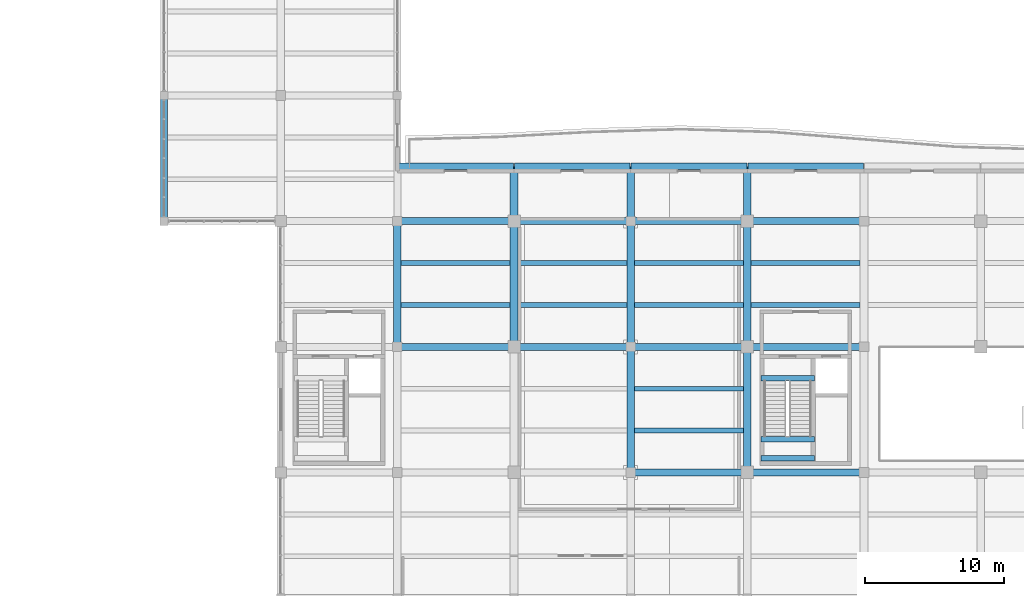
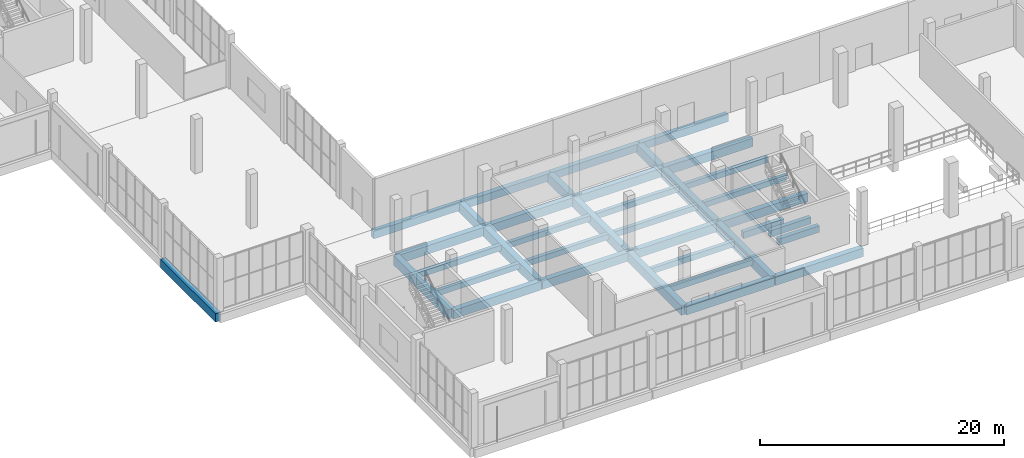
# One storey, part 13 of 132: 34 beams.
"""IFC4 building model written with IfcOpenShell, lengths in metres."""

from ifc_helpers import new_model, si_unit, direction, frame, origin, origin_2d, place, context, subcontext, project, spatial, rectangle, extrude, material, material_profile, profile_set, type_object, element, save


model = new_model("IFC4")

# Units and contexts
model_context = context("Model", 3, precision=1e-05, world=origin(), true_north=direction((0.0, 1.0)))
body_context = subcontext(model_context, "Body", "Model", "MODEL_VIEW")
ifc_project = project(units=[si_unit("LENGTHUNIT", "METRE"), si_unit("AREAUNIT", "SQUARE_METRE"), si_unit("VOLUMEUNIT", "CUBIC_METRE"), si_unit("PLANEANGLEUNIT", "RADIAN"), si_unit("MASSUNIT", "GRAM", prefix="KILO")], contexts=[model_context])

# Site, building, storey
site_placement = place(None, origin())
site = spatial("IfcSite", under=ifc_project, at=site_placement, CompositionType="ELEMENT")
building_placement = place(site_placement, origin())
building = spatial("IfcBuilding", under=site, at=building_placement, Name="Khurvash Pelagic Aquarium", CompositionType="ELEMENT")
storey_placement = place(building_placement, frame((0.0, 0.0, 5.39990234375)))
storey = spatial("IfcBuildingStorey", under=building, at=storey_placement, Name="L01", CompositionType="ELEMENT", Elevation=5.39990234375)

# Beams
ifc_material_1 = material(Name="Concrete C40/50", Category="concrete")
ifc_material_profile_1 = material_profile(ifc_material_1, rectangle(XDim=0.550048828125, YDim=0.949951171875, at=origin_2d()), Name="RC550X950")
ifc_profile_set_1 = profile_set([ifc_material_profile_1], Name="Concrete C40/50")
beam_type_1 = type_object("IfcBeamType", Name="BM-02", PredefinedType="BEAM", material=ifc_profile_set_1)
beam_1_placement = place(storey_placement, frame((33.60009765625, 20.739990234375, -0.784912109375), z_axis=(0.0, 1.0, 0.0), x_axis=(-1.0, 0.0, 0.0)))
element("IfcBeam", 1, at=beam_1_placement, inside=storey, type_object=beam_type_1, Name="L01 Primary Girder BM-02 00371", PredefinedType="BEAM", context=body_context, shape_type="SweptSolid", body=[
    extrude(rectangle(XDim=0.550048828125, YDim=0.949951171875, at=origin_2d()), origin(), (0.0, 0.0, 1.0), 8.969970703125),
])
beam_2_placement = place(storey_placement, frame((42.0, 20.739990234375, -0.794921875), z_axis=(0.0, 1.0, 0.0), x_axis=(-1.0, 0.0, 0.0)))
element("IfcBeam", 2, at=beam_2_placement, inside=storey, type_object=beam_type_1, Name="L01 Primary Girder BM-02 00382", PredefinedType="BEAM", context=body_context, shape_type="SweptSolid", body=[
    extrude(rectangle(XDim=0.550048828125, YDim=0.949951171875, at=origin_2d()), origin(), (0.0, 0.0, 1.0), 12.9599609375),
])
beam_3_placement = place(storey_placement, frame((50.39990234375, 11.68994140625, -0.784912109375), z_axis=(0.0, 1.0, 0.0), x_axis=(-1.0, 0.0, 0.0)))
element("IfcBeam", 3, at=beam_3_placement, inside=storey, type_object=beam_type_1, Name="L01 Primary Girder BM-02 00385", PredefinedType="BEAM", context=body_context, shape_type="SweptSolid", body=[
    extrude(rectangle(XDim=0.550048828125, YDim=0.949951171875, at=origin_2d()), origin(), (0.0, 0.0, 1.0), 8.969970703125),
])
beam_4_placement = place(storey_placement, frame((50.39990234375, 20.739990234375, -0.794921875), z_axis=(0.0, 1.0, 0.0), x_axis=(-1.0, 0.0, 0.0)))
element("IfcBeam", 4, at=beam_4_placement, inside=storey, type_object=beam_type_1, Name="L01 Primary Girder BM-02 00386", PredefinedType="BEAM", context=body_context, shape_type="SweptSolid", body=[
    extrude(rectangle(XDim=0.550048828125, YDim=0.949951171875, at=origin_2d()), origin(), (0.0, 0.0, 1.0), 12.9599609375),
])
beam_5_placement = place(storey_placement, frame((58.800048828125, 11.68994140625, -0.784912109375), z_axis=(0.0, 1.0, 0.0), x_axis=(-1.0, 0.0, 0.0)))
element("IfcBeam", 5, at=beam_5_placement, inside=storey, type_object=beam_type_1, Name="L01 Primary Girder BM-02 00389", PredefinedType="BEAM", context=body_context, shape_type="SweptSolid", body=[
    extrude(rectangle(XDim=0.550048828125, YDim=0.949951171875, at=origin_2d()), origin(), (0.0, 0.0, 1.0), 8.969970703125),
])
beam_6_placement = place(storey_placement, frame((58.800048828125, 20.739990234375, -0.794921875), z_axis=(0.0, 1.0, 0.0), x_axis=(-1.0, 0.0, 0.0)))
element("IfcBeam", 6, at=beam_6_placement, inside=storey, type_object=beam_type_1, Name="L01 Primary Girder BM-02 00390", PredefinedType="BEAM", context=body_context, shape_type="SweptSolid", body=[
    extrude(rectangle(XDim=0.550048828125, YDim=0.949951171875, at=origin_2d()), origin(), (0.0, 0.0, 1.0), 12.9599609375),
])
ifc_material_profile_2 = material_profile(ifc_material_1, rectangle(XDim=0.5, YDim=0.85009765625, at=origin_2d()), Name="RC500X850")
ifc_profile_set_2 = profile_set([ifc_material_profile_2], Name="Concrete C40/50")
beam_type_2 = type_object("IfcBeamType", Name="BM-03", PredefinedType="BEAM", material=ifc_profile_set_2)
beam_7_placement = place(storey_placement, frame((50.43994140625, 11.64990234375, -0.744873046875), z_axis=(1.0, 0.0, 0.0), x_axis=(0.0, 1.0, 0.0)))
element("IfcBeam", 7, at=beam_7_placement, inside=storey, type_object=beam_type_2, Name="L01 Primary Girder BM-03 00254", PredefinedType="BEAM", context=body_context, shape_type="SweptSolid", body=[
    extrude(rectangle(XDim=0.5, YDim=0.85009765625, at=origin_2d()), origin(), (0.0, 0.0, 1.0), 8.320068359375),
])
beam_8_placement = place(storey_placement, frame((58.840087890625, 11.64990234375, -0.744873046875), z_axis=(1.0, 0.0, 0.0), x_axis=(0.0, 1.0, 0.0)))
element("IfcBeam", 8, at=beam_8_placement, inside=storey, type_object=beam_type_2, Name="L01 Primary Girder BM-03 00255", PredefinedType="BEAM", context=body_context, shape_type="SweptSolid", body=[
    extrude(rectangle(XDim=0.5, YDim=0.85009765625, at=origin_2d()), origin(), (0.0, 0.0, 1.0), 8.31982421875),
])
for number, where, z_axis, x_axis, name in (
    (9, (33.639892578125, 20.699951171875, -0.744873046875), (1.0, 0.0, 0.0), (0.0, 1.0, 0.0), "L01 Primary Girder BM-03 00262"),
    (10, (42.0400390625, 20.699951171875, -0.744873046875), (1.0, 0.0, 0.0), (0.0, 1.0, 0.0), "L01 Primary Girder BM-03 00263"),
    (11, (50.43994140625, 20.699951171875, -0.744873046875), (1.0, 0.0, 0.0), (0.0, 1.0, 0.0), "L01 Primary Girder BM-03 00264"),
):
    element("IfcBeam", number, at=place(storey_placement, frame(where, z_axis=z_axis, x_axis=x_axis)), inside=storey, type_object=beam_type_2, Name=name, PredefinedType="BEAM", context=body_context, shape_type="SweptSolid", body=[
        extrude(rectangle(XDim=0.5, YDim=0.85009765625, at=origin_2d()), origin(), (0.0, 0.0, 1.0), 8.320068359375),
    ])
beam_9_placement = place(storey_placement, frame((58.840087890625, 20.699951171875, -0.744873046875), z_axis=(1.0, 0.0, 0.0), x_axis=(0.0, 1.0, 0.0)))
element("IfcBeam", 12, at=beam_9_placement, inside=storey, type_object=beam_type_2, Name="L01 Primary Girder BM-03 00265", PredefinedType="BEAM", context=body_context, shape_type="SweptSolid", body=[
    extrude(rectangle(XDim=0.5, YDim=0.85009765625, at=origin_2d()), origin(), (0.0, 0.0, 1.0), 8.31982421875),
])
for number, where, z_axis, x_axis, name in (
    (13, (33.639892578125, 29.75, -0.744873046875), (1.0, 0.0, 0.0), (0.0, 1.0, 0.0), "L01 Primary Girder BM-03 00278"),
    (14, (42.0400390625, 29.75, -0.744873046875), (1.0, 0.0, 0.0), (0.0, 1.0, 0.0), "L01 Primary Girder BM-03 00279"),
    (15, (50.43994140625, 29.75, -0.744873046875), (1.0, 0.0, 0.0), (0.0, 1.0, 0.0), "L01 Primary Girder BM-03 00280"),
):
    element("IfcBeam", number, at=place(storey_placement, frame(where, z_axis=z_axis, x_axis=x_axis)), inside=storey, type_object=beam_type_2, Name=name, PredefinedType="BEAM", context=body_context, shape_type="SweptSolid", body=[
        extrude(rectangle(XDim=0.5, YDim=0.85009765625, at=origin_2d()), origin(), (0.0, 0.0, 1.0), 8.320068359375),
    ])
beam_10_placement = place(storey_placement, frame((58.840087890625, 29.75, -0.744873046875), z_axis=(1.0, 0.0, 0.0), x_axis=(0.0, 1.0, 0.0)))
element("IfcBeam", 16, at=beam_10_placement, inside=storey, type_object=beam_type_2, Name="L01 Primary Girder BM-03 00281", PredefinedType="BEAM", context=body_context, shape_type="SweptSolid", body=[
    extrude(rectangle(XDim=0.5, YDim=0.85009765625, at=origin_2d()), origin(), (0.0, 0.0, 1.0), 8.31982421875),
])
ifc_material_2 = material(Name="Concrete C35/45", Category="concrete")
ifc_material_profile_3 = material_profile(ifc_material_2, rectangle(XDim=0.449951171875, YDim=0.75, at=origin_2d()), Name="RC450X750")
ifc_profile_set_3 = profile_set([ifc_material_profile_3], Name="Concrete C35/45")
beam_type_3 = type_object("IfcBeamType", Name="BM-04", PredefinedType="BEAM", material=ifc_profile_set_3)
for number, where, z_axis, x_axis, name in (
    (17, (33.639892578125, 33.699951171875, -0.69482421875), (1.0, 0.0, 0.0), (0.0, 1.0, 0.0), "L01 Terrace Edge Trimmer Beam BM-04"),
    (18, (42.0400390625, 33.699951171875, -0.69482421875), (1.0, 0.0, 0.0), (0.0, 1.0, 0.0), "L01 Terrace Edge Trimmer Beam BM-04"),
    (19, (50.43994140625, 33.699951171875, -0.69482421875), (1.0, 0.0, 0.0), (0.0, 1.0, 0.0), "L01 Terrace Edge Trimmer Beam BM-04"),
):
    element("IfcBeam", number, at=place(storey_placement, frame(where, z_axis=z_axis, x_axis=x_axis)), inside=storey, type_object=beam_type_3, Name=name, PredefinedType="BEAM", context=body_context, shape_type="SweptSolid", body=[
        extrude(rectangle(XDim=0.449951171875, YDim=0.75, at=origin_2d()), origin(), (0.0, 0.0, 1.0), 8.320068359375),
    ])
beam_11_placement = place(storey_placement, frame((58.840087890625, 33.699951171875, -0.69482421875), z_axis=(1.0, 0.0, 0.0), x_axis=(0.0, 1.0, 0.0)))
element("IfcBeam", 20, at=beam_11_placement, inside=storey, type_object=beam_type_3, Name="L01 Terrace Edge Trimmer Beam BM-04", PredefinedType="BEAM", context=body_context, shape_type="SweptSolid", body=[
    extrude(rectangle(XDim=0.449951171875, YDim=0.75, at=origin_2d()), origin(), (0.0, 0.0, 1.0), 8.31982421875),
])
ifc_material_profile_4 = material_profile(ifc_material_2, rectangle(XDim=0.39990234375, YDim=0.64990234375, at=origin_2d()), Name="RC400X650")
ifc_profile_set_4 = profile_set([ifc_material_profile_4], Name="Concrete C35/45")
beam_type_4 = type_object("IfcBeamType", Name="BM-05", PredefinedType="BEAM", material=ifc_profile_set_4)
for number, where, z_axis, x_axis, name in (
    (21, (59.780029296875, 18.429931640625, -0.635009765625), (1.0, 0.0, 0.0), (0.0, 1.0, 0.0), "L01 Stair ST-02 Header Trimmer Beam BM-05"),
    (22, (59.780029296875, 12.669921875, 2.175048828125), (1.0, 0.0, 0.0), (0.0, 1.0, 0.0), "L01 Stair ST-02 Mid-Landing Trimmer Beam BM-05"),
    (23, (59.780029296875, 14.0400390625, 2.175048828125), (1.0, 0.0, 0.0), (0.0, 1.0, 0.0), "L01 Stair ST-02 Mid-Landing Trimmer Beam BM-05"),
):
    element("IfcBeam", number, at=place(storey_placement, frame(where, z_axis=z_axis, x_axis=x_axis)), inside=storey, type_object=beam_type_4, Name=name, PredefinedType="BEAM", context=body_context, shape_type="SweptSolid", body=[
        extrude(rectangle(XDim=0.39990234375, YDim=0.64990234375, at=origin_2d()), origin(), (0.0, 0.0, 1.0), 3.840087890625),
    ])
ifc_material_profile_5 = material_profile(ifc_material_2, rectangle(XDim=0.35009765625, YDim=0.550048828125, at=origin_2d()), Name="RC350X550")
ifc_profile_set_5 = profile_set([ifc_material_profile_5], Name="Concrete C35/45")
beam_type_5 = type_object("IfcBeamType", Name="JS-01", PredefinedType="JOIST", material=ifc_profile_set_5)
for number, where, z_axis, x_axis, name in (
    (24, (33.875, 23.717041015625, -0.5849609375), (1.0, 0.0, 0.0), (0.0, 1.0, 0.0), "L01 Floor Joist JS-01 00480"),
    (25, (33.875, 26.73291015625, -0.5849609375), (1.0, 0.0, 0.0), (0.0, 1.0, 0.0), "L01 Floor Joist JS-01 00481"),
    (26, (42.27490234375, 23.717041015625, -0.5849609375), (1.0, 0.0, 0.0), (0.0, 1.0, 0.0), "L01 Floor Joist JS-01 00488"),
    (27, (42.27490234375, 26.73291015625, -0.5849609375), (1.0, 0.0, 0.0), (0.0, 1.0, 0.0), "L01 Floor Joist JS-01 00489"),
):
    element("IfcBeam", number, at=place(storey_placement, frame(where, z_axis=z_axis, x_axis=x_axis)), inside=storey, type_object=beam_type_5, Name=name, PredefinedType="JOIST", context=body_context, shape_type="SweptSolid", body=[
        extrude(rectangle(XDim=0.35009765625, YDim=0.550048828125, at=origin_2d()), origin(), (0.0, 0.0, 1.0), 7.85009765625),
    ])
for number, where, z_axis, x_axis, name in (
    (28, (50.675048828125, 14.6669921875, -0.5849609375), (1.0, 0.0, 0.0), (0.0, 1.0, 0.0), "L01 Floor Joist JS-01 00494"),
    (29, (50.675048828125, 17.68310546875, -0.5849609375), (1.0, 0.0, 0.0), (0.0, 1.0, 0.0), "L01 Floor Joist JS-01 00495"),
    (30, (50.675048828125, 23.717041015625, -0.5849609375), (1.0, 0.0, 0.0), (0.0, 1.0, 0.0), "L01 Floor Joist JS-01 00496"),
    (31, (50.675048828125, 26.73291015625, -0.5849609375), (1.0, 0.0, 0.0), (0.0, 1.0, 0.0), "L01 Floor Joist JS-01 00497"),
):
    element("IfcBeam", number, at=place(storey_placement, frame(where, z_axis=z_axis, x_axis=x_axis)), inside=storey, type_object=beam_type_5, Name=name, PredefinedType="JOIST", context=body_context, shape_type="SweptSolid", body=[
        extrude(rectangle(XDim=0.35009765625, YDim=0.550048828125, at=origin_2d()), origin(), (0.0, 0.0, 1.0), 7.849853515625),
    ])
for number, where, z_axis, x_axis, name in (
    (32, (59.074951171875, 23.717041015625, -0.5849609375), (1.0, 0.0, 0.0), (0.0, 1.0, 0.0), "L01 Floor Joist JS-01 00502"),
    (33, (59.074951171875, 26.73291015625, -0.5849609375), (1.0, 0.0, 0.0), (0.0, 1.0, 0.0), "L01 Floor Joist JS-01 00503"),
):
    element("IfcBeam", number, at=place(storey_placement, frame(where, z_axis=z_axis, x_axis=x_axis)), inside=storey, type_object=beam_type_5, Name=name, PredefinedType="JOIST", context=body_context, shape_type="SweptSolid", body=[
        extrude(rectangle(XDim=0.35009765625, YDim=0.550048828125, at=origin_2d()), origin(), (0.0, 0.0, 1.0), 7.85009765625),
    ])
ifc_material_profile_6 = material_profile(ifc_material_1, rectangle(XDim=0.5, YDim=0.85009765625, at=origin_2d()), Name="RC500X850")
ifc_profile_set_6 = profile_set([ifc_material_profile_6], Name="Concrete C40/50")
beam_type_6 = type_object("IfcBeamType", Name="SEB-03", PredefinedType="SPANDREL", material=ifc_profile_set_6)
beam_12_placement = place(storey_placement, frame((16.800048828125, 29.7900390625, -0.73486328125), z_axis=(0.0, 1.0, 0.0), x_axis=(-1.0, 0.0, 0.0)))
element("IfcBeam", 34, at=beam_12_placement, inside=storey, type_object=beam_type_6, Name="L01 Primary Girder SEB-03 00352", PredefinedType="SPANDREL", context=body_context, shape_type="SweptSolid", body=[
    extrude(rectangle(XDim=0.5, YDim=0.85009765625, at=origin_2d()), origin(), (0.0, 0.0, 1.0), 8.969970703125),
])

save(model, "model.ifc")
